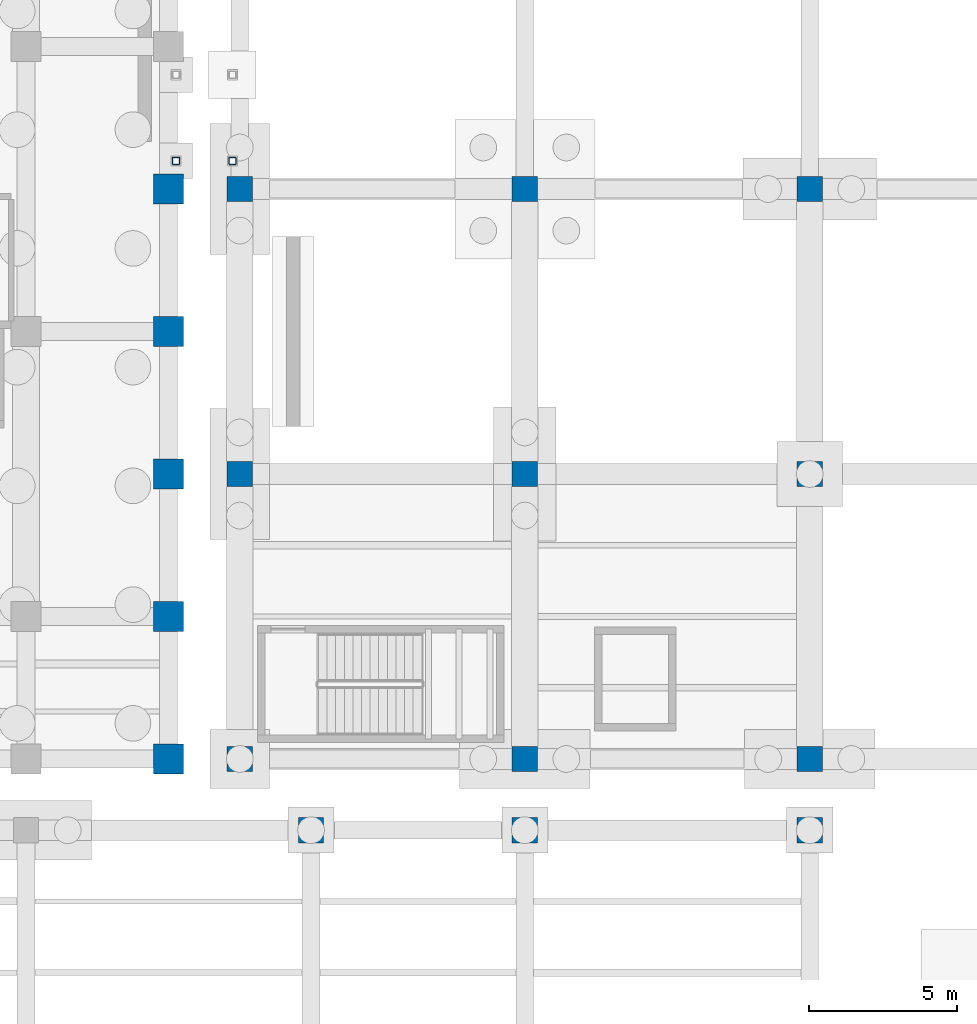
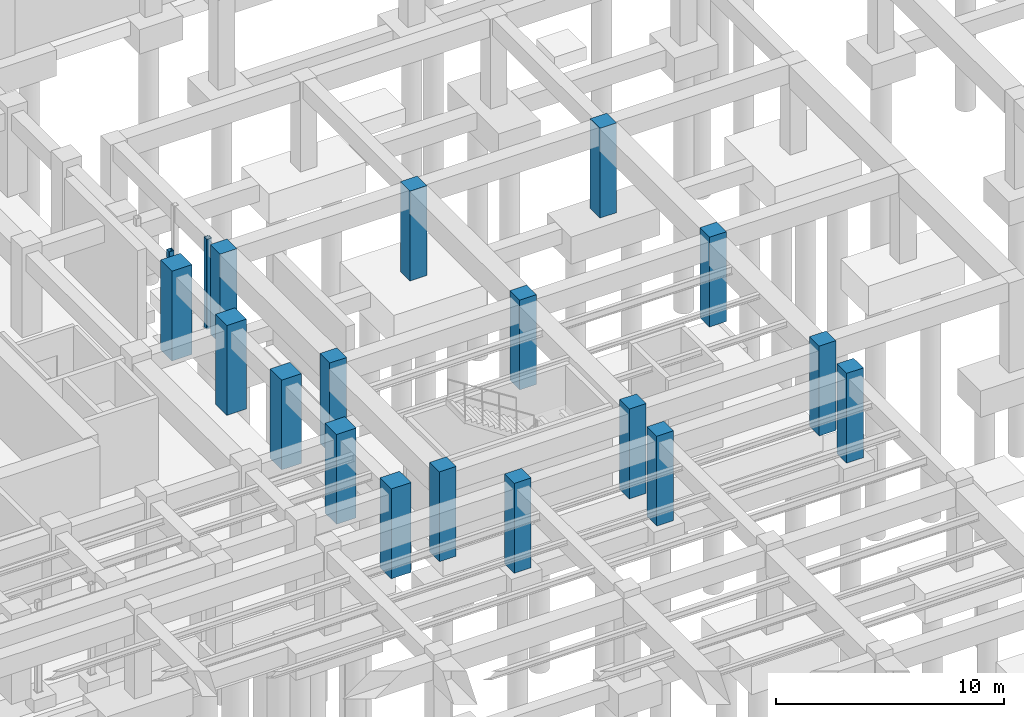
# One storey, part 16 of 56: 19 columns.
"""IFC4 building model written with IfcOpenShell, lengths in metres."""

from ifc_helpers import new_model, si_unit, direction, frame, origin, origin_2d, place, context, subcontext, project, spatial, rectangle, hollow_rectangle, extrude, material, material_profile, profile_set, type_object, element, save


model = new_model("IFC4")

# Units and contexts
model_context = context("Model", 3, precision=1e-05, world=origin(), true_north=direction((0.0, 1.0)))
body_context = subcontext(model_context, "Body", "Model", "MODEL_VIEW")
ifc_project = project(units=[si_unit("LENGTHUNIT", "METRE"), si_unit("AREAUNIT", "SQUARE_METRE"), si_unit("VOLUMEUNIT", "CUBIC_METRE"), si_unit("PLANEANGLEUNIT", "RADIAN"), si_unit("MASSUNIT", "GRAM", prefix="KILO")], contexts=[model_context])

# Site, building, storey
site_placement = place(None, origin())
site = spatial("IfcSite", under=ifc_project, at=site_placement, CompositionType="ELEMENT")
building_placement = place(site_placement, origin())
building = spatial("IfcBuilding", under=site, at=building_placement, Name="Mavantir Sound Aquarium", CompositionType="ELEMENT")
storey_placement = place(building_placement, frame((0.0, 0.0, -9.60009765625)))
storey = spatial("IfcBuildingStorey", under=building, at=storey_placement, Name="B2", CompositionType="ELEMENT", Elevation=-9.60009765625)

# Columns
ifc_material_1 = material(Name="Concrete C40/50", Category="concrete")
ifc_material_profile_1 = material_profile(ifc_material_1, rectangle(XDim=1.0, YDim=1.0, at=origin_2d()), Name="RC 1000X1000")
ifc_profile_set_1 = profile_set([ifc_material_profile_1], Name="Concrete C40/50")
column_type_1 = type_object("IfcColumnType", Name="COL-RC1000-I", PredefinedType="COLUMN", material=ifc_profile_set_1)
for number, where, z_axis, x_axis, name in (
    (1, (33.60009765625, 40.800048828125, 0.0), (0.0, 0.0, 1.0), (1.0, 0.0, 0.0), "B2 column RC-C10 (V1)"),
    (2, (33.60009765625, 45.60009765625, 0.0), (0.0, 0.0, 1.0), (1.0, 0.0, 0.0), "B2 column RC-C10 (V1)"),
    (3, (33.60009765625, 50.39990234375, 0.0), (0.0, 0.0, 1.0), (1.0, 0.0, 0.0), "B2 column RC-C10 (V1)"),
    (4, (33.60009765625, 55.199951171875, 0.0), (0.0, 0.0, 1.0), (1.0, 0.0, 0.0), "B2 column RC-C10 (V1)"),
    (5, (33.60009765625, 60.0, 0.0), (0.0, 0.0, 1.0), (1.0, 0.0, 0.0), "B2 column RC-C10 (V1)"),
):
    element("IfcColumn", number, at=place(storey_placement, frame(where, z_axis=z_axis, x_axis=x_axis)), inside=storey, type_object=column_type_1, Name=name, PredefinedType="COLUMN", context=body_context, shape_type="SweptSolid", body=[
        extrude(rectangle(XDim=1.0, YDim=1.0, at=origin_2d()), origin(), (0.0, 0.0, 1.0), 4.800048828125),
    ])
ifc_material_profile_2 = material_profile(ifc_material_1, rectangle(XDim=0.85009765625, YDim=0.85009765625, at=origin_2d()), Name="RC 850X850")
ifc_profile_set_2 = profile_set([ifc_material_profile_2], Name="Concrete C40/50")
column_type_2 = type_object("IfcColumnType", Name="COL-RC850-I", PredefinedType="COLUMN", material=ifc_profile_set_2)
for number, where, z_axis, x_axis, name in (
    (6, (36.0, 40.800048828125, 0.0), (0.0, 0.0, 1.0), (1.0, 0.0, 0.0), "B2 column RC-C85 (V2)"),
    (7, (36.0, 50.39990234375, 0.0), (0.0, 0.0, 1.0), (1.0, 0.0, 0.0), "B2 column RC-C85 (V2)"),
    (8, (36.0, 60.0, 0.0), (0.0, 0.0, 1.0), (1.0, 0.0, 0.0), "B2 column RC-C85 (V2)"),
    (9, (45.60009765625, 40.800048828125, 0.0), (0.0, 0.0, 1.0), (1.0, 0.0, 0.0), "B2 column RC-C85 (V2)"),
    (10, (45.60009765625, 50.39990234375, 0.0), (0.0, 0.0, 1.0), (1.0, 0.0, 0.0), "B2 column RC-C85 (V2)"),
    (11, (45.60009765625, 60.0, 0.0), (0.0, 0.0, 1.0), (1.0, 0.0, 0.0), "B2 column RC-C85 (V2)"),
    (12, (55.199951171875, 40.800048828125, 0.0), (0.0, 0.0, 1.0), (1.0, 0.0, 0.0), "B2 column RC-C85 (V2)"),
    (13, (55.199951171875, 50.39990234375, 0.0), (0.0, 0.0, 1.0), (1.0, 0.0, 0.0), "B2 column RC-C85 (V2)"),
    (14, (55.199951171875, 60.0, 0.0), (0.0, 0.0, 1.0), (1.0, 0.0, 0.0), "B2 column RC-C85 (V2)"),
    (15, (38.39990234375, 38.39990234375, 0.0), (0.0, 0.0, 1.0), (1.0, 0.0, 0.0), "B2 column RC-C85 (V3)"),
    (16, (45.60009765625, 38.39990234375, 0.0), (0.0, 0.0, 1.0), (1.0, 0.0, 0.0), "B2 column RC-C85 (V3)"),
    (17, (55.199951171875, 38.39990234375, 0.0), (0.0, 0.0, 1.0), (1.0, 0.0, 0.0), "B2 column RC-C85 (V3)"),
):
    element("IfcColumn", number, at=place(storey_placement, frame(where, z_axis=z_axis, x_axis=x_axis)), inside=storey, type_object=column_type_2, Name=name, PredefinedType="COLUMN", context=body_context, shape_type="SweptSolid", body=[
        extrude(rectangle(XDim=0.85009765625, YDim=0.85009765625, at=origin_2d()), origin(), (0.0, 0.0, 1.0), 4.800048828125),
    ])
ifc_material_2 = material(Name="Hollow Structural Steel ASTM A500 GrC", Category="steel")
ifc_material_profile_3 = material_profile(ifc_material_2, hollow_rectangle(XDim=0.25, YDim=0.25, WallThickness=0.012451171875, InnerFilletRadius=0.012451171875, OuterFilletRadius=0.02490234375, at=origin_2d()), Name="SHS 250X250X12.5")
ifc_profile_set_3 = profile_set([ifc_material_profile_3], Name="Hollow Structural Steel ASTM A500 GrC")
column_type_3 = type_object("IfcColumnType", Name="COL-SHS250-E", PredefinedType="COLUMN", material=ifc_profile_set_3)
for number, where, z_axis, x_axis, name in (
    (18, (33.85009765625, 60.949951171875, 0.0), (0.0, 0.0, 1.0), (1.0, 0.0, 0.0), "Bridge support column 1.1 (B2)"),
    (19, (35.75, 60.949951171875, 0.0), (0.0, 0.0, 1.0), (1.0, 0.0, 0.0), "Bridge support column 1.3 (B2)"),
):
    element("IfcColumn", number, at=place(storey_placement, frame(where, z_axis=z_axis, x_axis=x_axis)), inside=storey, type_object=column_type_3, Name=name, PredefinedType="COLUMN", context=body_context, shape_type="SweptSolid", body=[
        extrude(hollow_rectangle(XDim=0.25, YDim=0.25, WallThickness=0.012451171875, InnerFilletRadius=0.012451171875, OuterFilletRadius=0.02490234375, at=origin_2d()), origin(), (0.0, 0.0, 1.0), 4.800048828125),
    ])

save(model, "model.ifc")
